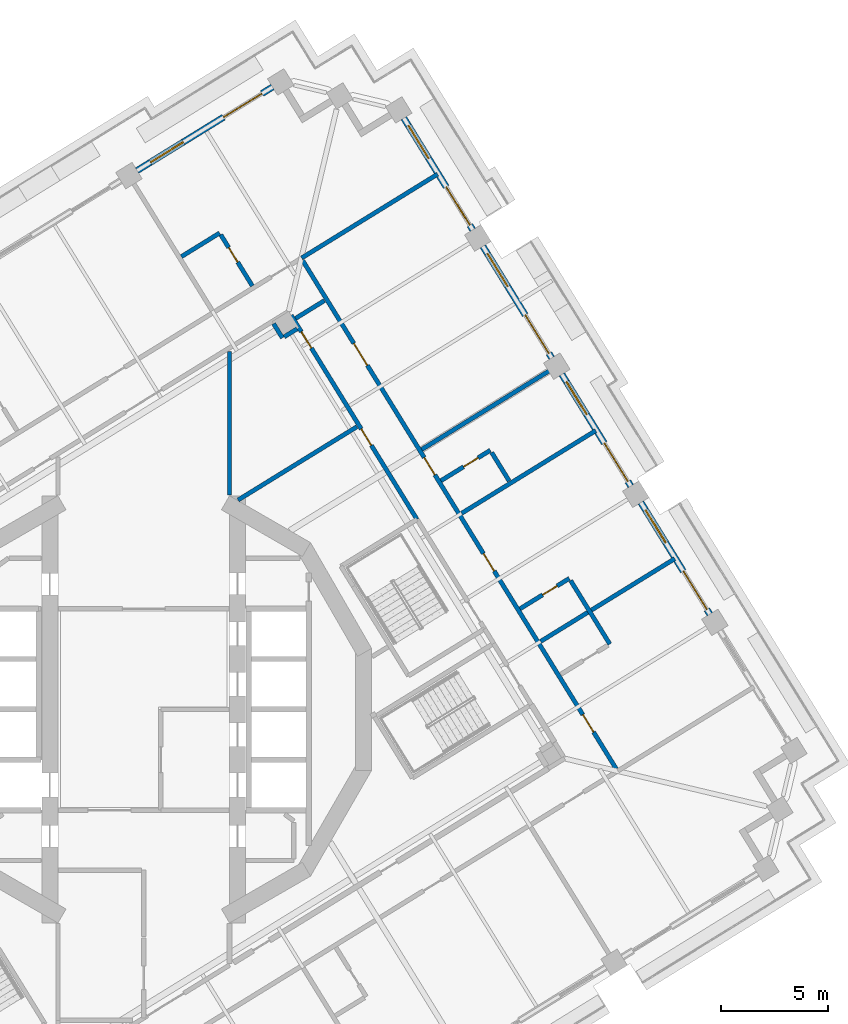
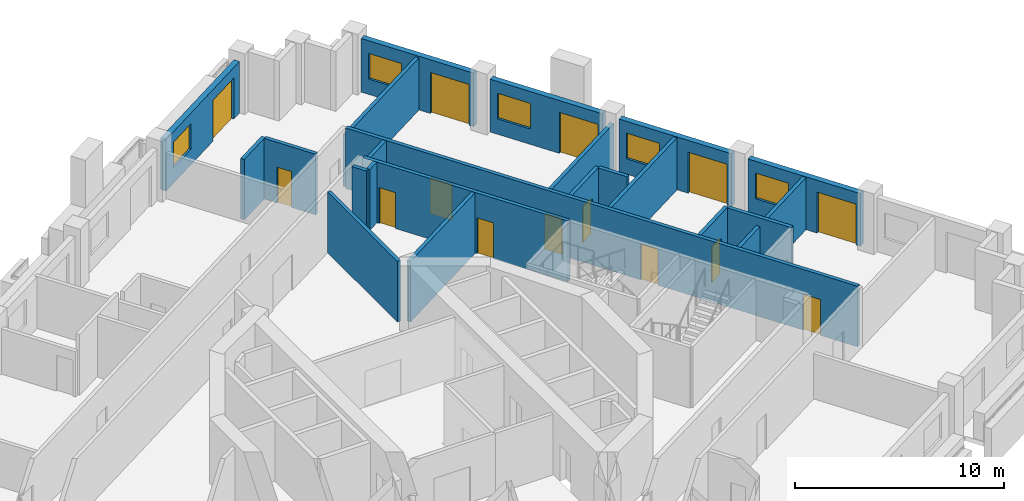
# One storey, part 9 of 20: 22 walls, 14 doors, 5 windows, 19 openings.
"""IFC4 building model written with IfcOpenShell, lengths in metres."""

from ifc_helpers import new_model, si_unit, direction, frame, frame_2d, origin, place, context, subcontext, project, spatial, rectangle, extrude, material, layer, layer_set, type_object, element, fill, save


model = new_model("IFC4")

# Units and contexts
model_context = context("Model", 3, precision=1e-05, world=origin(), true_north=direction((0.0, 1.0)))
body_context = subcontext(model_context, "Body", "Model", "MODEL_VIEW")
ifc_project = project(units=[si_unit("LENGTHUNIT", "METRE"), si_unit("AREAUNIT", "SQUARE_METRE"), si_unit("VOLUMEUNIT", "CUBIC_METRE"), si_unit("PLANEANGLEUNIT", "RADIAN"), si_unit("MASSUNIT", "GRAM", prefix="KILO")], contexts=[model_context])

# Site, building, storey
site_placement = place(None, origin())
site = spatial("IfcSite", under=ifc_project, at=site_placement, CompositionType="ELEMENT")
building_placement = place(site_placement, origin())
building = spatial("IfcBuilding", under=site, at=building_placement, Name="Cantera Rosa Tower", CompositionType="ELEMENT")
storey_placement = place(building_placement, frame((0.0, 0.0, 159.0)))
storey = spatial("IfcBuildingStorey", under=building, at=storey_placement, Name="L34", CompositionType="ELEMENT", Elevation=159.0)

# Walls
ifc_material_1 = material(Name="Gypsum board partition")
ifc_layer_1 = layer(ifc_material_1, 0.199951171875)
ifc_layer_set_1 = layer_set([ifc_layer_1], Name="CORRIDOR WALL 200 H3550")
wall_type_1 = type_object("IfcWallType", Name="CORRIDOR WALL 200 H3550", PredefinedType="PARTITIONING", material=ifc_layer_set_1)
wall_1_placement = place(storey_placement, frame((4.0, 9.994140625, 0.0), z_axis=(0.0, 0.0, 1.0), x_axis=(0.0, 1.0, 0.0)))
element("IfcWall", 1, at=wall_1_placement, inside=storey, type_object=wall_type_1, Name="CORRIDOR WALL L34-075", PredefinedType="PARTITIONING", context=body_context, shape_type="SweptSolid", body=[
    extrude(rectangle(XDim=6.7060546875, YDim=0.199951171875, at=frame_2d((3.35302734375, 0.0))), origin(), (0.0, 0.0, 1.0), 3.550048828125),
])
wall_2_placement = place(storey_placement, frame((7.08154296875, 18.234619140625, 0.0), z_axis=(0.0, 0.0, 1.0), x_axis=(0.8511858258, 0.524864449127, 0.0)))
element("IfcWall", 2, at=wall_2_placement, inside=storey, type_object=wall_type_1, Name="CORRIDOR WALL L34-088", PredefinedType="PARTITIONING", context=body_context, shape_type="SweptSolid", body=[
    extrude(rectangle(XDim=1.580078125, YDim=0.199951171875, at=frame_2d((0.7900390625, 0.0))), origin(), (0.0, 0.0, 1.0), 3.550048828125),
])

# Wall, openings, doors
wall_3_placement = place(storey_placement, frame((12.74560546875, 8.861328125, 0.0), z_axis=(0.0, 0.0, 1.0), x_axis=(-0.524978093765, 0.851115738937, 0.0)))
wall_3 = element("IfcWall", 3, at=wall_3_placement, inside=storey, type_object=wall_type_1, Name="CORRIDOR WALL L34-103", PredefinedType="PARTITIONING", context=body_context, shape_type="SweptSolid", body=[
    extrude(rectangle(XDim=11.17919921875, YDim=0.199951171875, at=frame_2d((5.589599609375, 0.0))), origin(), (0.0, 0.0, 1.0), 3.550048828125),
])
opening_1_placement = place(wall_3_placement, frame((4.055419921875, 0.0, 0.0)))
opening_1 = element("IfcOpeningElement", 4, at=opening_1_placement, cuts=wall_3, Name="Opening L34-005", PredefinedType="OPENING", context=body_context, shape_type="SweptSolid", body=[
    extrude(rectangle(XDim=0.89990234375, YDim=2.10009765625, at=frame_2d((0.449951171875, 1.050048828125))), frame((0.0, 0.10986328125, 0.0), z_axis=(0.0, -1.0, 0.0), x_axis=(1.0, 0.0, 0.0)), (0.0, 0.0, 1.0), 0.219970703125),
])
opening_2_placement = place(wall_3_placement, frame((9.38037109375, 0.0, 0.0)))
opening_2 = element("IfcOpeningElement", 5, at=opening_2_placement, cuts=wall_3, Name="Opening L34-006", PredefinedType="OPENING", context=body_context, shape_type="SweptSolid", body=[
    extrude(rectangle(XDim=0.89990234375, YDim=2.10009765625, at=frame_2d((0.449951171875, 1.050048828125))), frame((0.0, 0.10986328125, 0.0), z_axis=(0.0, -1.0, 0.0), x_axis=(1.0, 0.0, 0.0)), (0.0, 0.0, 1.0), 0.219970703125),
])
ifc_material_2 = material(Name="Timber door leaf", Category="wood")
door_type_1 = type_object("IfcDoorType", Name="SERVICE DOOR 900x2100", OperationType="NOTDEFINED", PredefinedType="DOOR", material=ifc_material_2)
door_1_placement = place(opening_1_placement, origin())
door_1 = element("IfcDoor", 6, at=door_1_placement, inside=storey, type_object=door_type_1, Name="DOOR L34-005", OperationType="NOTDEFINED", OverallHeight=2.10009765625, OverallWidth=0.89990234375, PredefinedType="DOOR", context=body_context, shape_type="SweptSolid", body=[
    extrude(rectangle(XDim=0.89990234375, YDim=2.10009765625, at=frame_2d((0.449951171875, 1.050048828125))), frame((0.0, 0.02490234375, 0.0), z_axis=(0.0, -1.0, 0.0), x_axis=(1.0, 0.0, 0.0)), (0.0, 0.0, 1.0), 0.050048828125),
])
fill(opening_1, door_1)
door_2_placement = place(opening_2_placement, origin())
door_2 = element("IfcDoor", 7, at=door_2_placement, inside=storey, type_object=door_type_1, Name="DOOR L34-006", OperationType="NOTDEFINED", OverallHeight=2.10009765625, OverallWidth=0.89990234375, PredefinedType="DOOR", context=body_context, shape_type="SweptSolid", body=[
    extrude(rectangle(XDim=0.89990234375, YDim=2.10009765625, at=frame_2d((0.449951171875, 1.050048828125))), frame((0.0, 0.02490234375, 0.0), z_axis=(0.0, -1.0, 0.0), x_axis=(1.0, 0.0, 0.0)), (0.0, 0.0, 1.0), 0.050048828125),
])
fill(opening_2, door_2)

wall_4_placement = place(storey_placement, frame((22.037109375, -2.77392578125, 0.0), z_axis=(0.0, 0.0, 1.0), x_axis=(-0.524972822247, 0.851118990448, 0.0)))
wall_4 = element("IfcWall", 8, at=wall_4_placement, inside=storey, type_object=wall_type_1, Name="CORRIDOR WALL L34-123", PredefinedType="PARTITIONING", context=body_context, shape_type="SweptSolid", body=[
    extrude(rectangle(XDim=27.85986328125, YDim=0.199951171875, at=frame_2d((13.929931640625, 0.0))), origin(), (0.0, 0.0, 1.0), 3.550048828125),
])
opening_3_placement = place(wall_4_placement, frame((2.02001953125, 0.0, 0.0)))
opening_3 = element("IfcOpeningElement", 9, at=opening_3_placement, cuts=wall_4, Name="Opening L34-021", PredefinedType="OPENING", context=body_context, shape_type="SweptSolid", body=[
    extrude(rectangle(XDim=0.949951171875, YDim=2.10009765625, at=frame_2d((0.47509765625, 1.050048828125))), frame((0.0, 0.10986328125, 0.0), z_axis=(0.0, -1.0, 0.0), x_axis=(1.0, 0.0, 0.0)), (0.0, 0.0, 1.0), 0.219970703125),
])
opening_4_placement = place(wall_4_placement, frame((10.844970703125, 0.0, 0.0)))
opening_4 = element("IfcOpeningElement", 10, at=opening_4_placement, cuts=wall_4, Name="Opening L34-023", PredefinedType="OPENING", context=body_context, shape_type="SweptSolid", body=[
    extrude(rectangle(XDim=0.949951171875, YDim=2.10009765625, at=frame_2d((0.47509765625, 1.050048828125))), frame((0.0, 0.10986328125, 0.0), z_axis=(0.0, -1.0, 0.0), x_axis=(1.0, 0.0, 0.0)), (0.0, 0.0, 1.0), 0.219970703125),
])
opening_5_placement = place(wall_4_placement, frame((22.110107421875, 0.0, 0.0)))
opening_5 = element("IfcOpeningElement", 11, at=opening_5_placement, cuts=wall_4, Name="Opening L34-025", PredefinedType="OPENING", context=body_context, shape_type="SweptSolid", body=[
    extrude(rectangle(XDim=1.199951171875, YDim=2.10009765625, at=frame_2d((0.60009765625, 1.050048828125))), frame((0.0, 0.10986328125, 0.0), z_axis=(0.0, -1.0, 0.0), x_axis=(1.0, 0.0, 0.0)), (0.0, 0.0, 1.0), 0.219970703125),
])
opening_6_placement = place(wall_4_placement, frame((16.110107421875, 0.0, 0.0)))
opening_6 = element("IfcOpeningElement", 12, at=opening_6_placement, cuts=wall_4, Name="Opening L34-026", PredefinedType="OPENING", context=body_context, shape_type="SweptSolid", body=[
    extrude(rectangle(XDim=0.949951171875, YDim=2.10009765625, at=frame_2d((0.47509765625, 1.050048828125))), frame((0.0, 0.10986328125, 0.0), z_axis=(0.0, -1.0, 0.0), x_axis=(1.0, 0.0, 0.0)), (0.0, 0.0, 1.0), 0.219970703125),
])
ifc_material_3 = material(Name="Timber door leaf", Category="wood")
door_type_2 = type_object("IfcDoorType", Name="ROOM DOOR 1200x2100", OperationType="NOTDEFINED", PredefinedType="DOOR", material=ifc_material_3)
door_3_placement = place(opening_5_placement, origin())
door_3 = element("IfcDoor", 13, at=door_3_placement, inside=storey, type_object=door_type_2, Name="DOOR L34-025", OperationType="NOTDEFINED", OverallHeight=2.10009765625, OverallWidth=1.199951171875, PredefinedType="DOOR", context=body_context, shape_type="SweptSolid", body=[
    extrude(rectangle(XDim=1.199951171875, YDim=2.10009765625, at=frame_2d((0.60009765625, 1.050048828125))), frame((0.0, 0.02490234375, 0.0), z_axis=(0.0, -1.0, 0.0), x_axis=(1.0, 0.0, 0.0)), (0.0, 0.0, 1.0), 0.050048828125),
])
fill(opening_5, door_3)
ifc_material_4 = material(Name="Timber door leaf", Category="wood")
door_type_3 = type_object("IfcDoorType", Name="ROOM DOOR 950x2100", OperationType="NOTDEFINED", PredefinedType="DOOR", material=ifc_material_4)
door_4_placement = place(opening_3_placement, origin())
door_4 = element("IfcDoor", 14, at=door_4_placement, inside=storey, type_object=door_type_3, Name="DOOR L34-021", OperationType="NOTDEFINED", OverallHeight=2.10009765625, OverallWidth=0.949951171875, PredefinedType="DOOR", context=body_context, shape_type="SweptSolid", body=[
    extrude(rectangle(XDim=0.949951171875, YDim=2.10009765625, at=frame_2d((0.47509765625, 1.050048828125))), frame((0.0, 0.02490234375, 0.0), z_axis=(0.0, -1.0, 0.0), x_axis=(1.0, 0.0, 0.0)), (0.0, 0.0, 1.0), 0.050048828125),
])
fill(opening_3, door_4)
door_5_placement = place(opening_4_placement, origin())
door_5 = element("IfcDoor", 15, at=door_5_placement, inside=storey, type_object=door_type_3, Name="DOOR L34-023", OperationType="NOTDEFINED", OverallHeight=2.10009765625, OverallWidth=0.949951171875, PredefinedType="DOOR", context=body_context, shape_type="SweptSolid", body=[
    extrude(rectangle(XDim=0.949951171875, YDim=2.10009765625, at=frame_2d((0.47509765625, 1.050048828125))), frame((0.0, 0.02490234375, 0.0), z_axis=(0.0, -1.0, 0.0), x_axis=(1.0, 0.0, 0.0)), (0.0, 0.0, 1.0), 0.050048828125),
])
fill(opening_4, door_5)
door_6_placement = place(opening_6_placement, origin())
door_6 = element("IfcDoor", 16, at=door_6_placement, inside=storey, type_object=door_type_3, Name="DOOR L34-026", OperationType="NOTDEFINED", OverallHeight=2.10009765625, OverallWidth=0.949951171875, PredefinedType="DOOR", context=body_context, shape_type="SweptSolid", body=[
    extrude(rectangle(XDim=0.949951171875, YDim=2.10009765625, at=frame_2d((0.47509765625, 1.050048828125))), frame((0.0, 0.02490234375, 0.0), z_axis=(0.0, -1.0, 0.0), x_axis=(1.0, 0.0, 0.0)), (0.0, 0.0, 1.0), 0.050048828125),
])
fill(opening_6, door_6)

# Wall, openings, window, door
ifc_material_5 = material(Name="Hollow clay masonry with cantera stone cladding", Category="masonry")
ifc_layer_2 = layer(ifc_material_5, 0.300048828125)
ifc_layer_set_2 = layer_set([ifc_layer_2], Name="EW-LOGGIA 300 H3020")
wall_type_2 = type_object("IfcWallType", Name="EW-LOGGIA 300 H3020", PredefinedType="SOLIDWALL", material=ifc_layer_set_2)
wall_5_placement = place(storey_placement, frame((6.007080078125, 29.02490234375, 0.0), z_axis=(0.0, 0.0, 1.0), x_axis=(-0.851111085575, -0.524985637909, 0.0)))
wall_5 = element("IfcWall", 17, at=wall_5_placement, inside=storey, type_object=wall_type_2, Name="EN-L34-W08", PredefinedType="SOLIDWALL", context=body_context, shape_type="SweptSolid", body=[
    extrude(rectangle(XDim=7.420166015625, YDim=0.300048828125, at=frame_2d((3.7099609375, 0.0))), origin(), (0.0, 0.0, 1.0), 3.02001953125),
])
opening_7_placement = place(wall_5_placement, frame((0.580078125, 0.0, 0.0)))
opening_7 = element("IfcOpeningElement", 18, at=opening_7_placement, cuts=wall_5, Name="Opening L34-TD11", PredefinedType="OPENING", context=body_context, shape_type="SweptSolid", body=[
    extrude(rectangle(XDim=2.10009765625, YDim=2.39990234375, at=frame_2d((1.050048828125, 1.199951171875))), frame((0.0, 0.159912109375, 0.0), z_axis=(0.0, -1.0, 0.0), x_axis=(1.0, 0.0, 0.0)), (0.0, 0.0, 1.0), 0.320068359375),
])
opening_8_placement = place(wall_5_placement, frame((4.889892578125, 0.0, 0.89990234375)))
opening_8 = element("IfcOpeningElement", 19, at=opening_8_placement, cuts=wall_5, Name="Opening L34-W12", PredefinedType="OPENING", context=body_context, shape_type="SweptSolid", body=[
    extrude(rectangle(XDim=1.800048828125, YDim=1.5, at=frame_2d((0.89990234375, 0.75))), frame((0.0, 0.159912109375, 0.0), z_axis=(0.0, -1.0, 0.0), x_axis=(1.0, 0.0, 0.0)), (0.0, 0.0, 1.0), 0.320068359375),
])
ifc_material_6 = material(Name="Aluminium frame with clear glass", Category="aluminium")
window_type = type_object("IfcWindowType", Name="Hotel room window 1800x1500", PartitioningType="DOUBLE_PANEL_VERTICAL", PredefinedType="WINDOW", material=ifc_material_6)
window_1_placement = place(opening_8_placement, origin())
window_1 = element("IfcWindow", 20, at=window_1_placement, inside=storey, type_object=window_type, Name="WINDOW L34-W12", OverallHeight=1.5, OverallWidth=1.800048828125, PartitioningType="SINGLE_PANEL", PredefinedType="WINDOW", context=body_context, shape_type="SweptSolid", body=[
    extrude(rectangle(XDim=1.800048828125, YDim=1.5, at=frame_2d((0.89990234375, 0.75))), frame((0.0, 0.030029296875, 0.0), z_axis=(0.0, -1.0, 0.0), x_axis=(1.0, 0.0, 0.0)), (0.0, 0.0, 1.0), 0.06005859375),
])
fill(opening_8, window_1)
ifc_material_7 = material(Name="Aluminium frame with clear glass", Category="aluminium")
door_type_4 = type_object("IfcDoorType", Name="TD-H 2100x2400", OperationType="NOTDEFINED", PredefinedType="DOOR", material=ifc_material_7)
door_7_placement = place(opening_7_placement, origin())
door_7 = element("IfcDoor", 21, at=door_7_placement, inside=storey, type_object=door_type_4, Name="LOGGIA DOOR L34-TD11", OperationType="SLIDING_TO_LEFT", OverallHeight=2.39990234375, OverallWidth=2.10009765625, PredefinedType="DOOR", context=body_context, shape_type="SweptSolid", body=[
    extrude(rectangle(XDim=2.10009765625, YDim=2.39990234375, at=frame_2d((1.050048828125, 1.199951171875))), frame((0.0, 0.02490234375, 0.0), z_axis=(0.0, -1.0, 0.0), x_axis=(1.0, 0.0, 0.0)), (0.0, 0.0, 1.0), 0.050048828125),
])
fill(opening_7, door_7)

ifc_material_8 = material(Name="Hollow clay masonry with cantera stone cladding", Category="masonry")
ifc_layer_3 = layer(ifc_material_8, 0.300048828125)
ifc_layer_set_3 = layer_set([ifc_layer_3], Name="EW-LOGGIA 300 H3090")
wall_type_3 = type_object("IfcWallType", Name="EW-LOGGIA 300 H3090", PredefinedType="SOLIDWALL", material=ifc_layer_set_3)
wall_6_placement = place(storey_placement, frame((26.3994140625, 4.440185546875, 0.0), z_axis=(0.0, 0.0, 1.0), x_axis=(-0.524987447654, 0.851109969279, 0.0)))
wall_6 = element("IfcWall", 22, at=wall_6_placement, inside=storey, type_object=wall_type_3, Name="EN-L34-W02", PredefinedType="SOLIDWALL", context=body_context, shape_type="SweptSolid", body=[
    extrude(rectangle(XDim=6.119873046875, YDim=0.300048828125, at=frame_2d((3.06005859375, 0.0))), origin(), (0.0, 0.0, 1.0), 3.090087890625),
])
opening_9_placement = place(wall_6_placement, frame((0.2548828125, 0.0, 0.0)))
opening_9 = element("IfcOpeningElement", 23, at=opening_9_placement, cuts=wall_6, Name="Opening L34-TD03", PredefinedType="OPENING", context=body_context, shape_type="SweptSolid", body=[
    extrude(rectangle(XDim=2.10009765625, YDim=2.39990234375, at=frame_2d((1.050048828125, 1.199951171875))), frame((0.0, 0.159912109375, 0.0), z_axis=(0.0, -1.0, 0.0), x_axis=(1.0, 0.0, 0.0)), (0.0, 0.0, 1.0), 0.320068359375),
])
opening_10_placement = place(wall_6_placement, frame((3.9150390625, 0.0, 0.89990234375)))
opening_10 = element("IfcOpeningElement", 24, at=opening_10_placement, cuts=wall_6, Name="Opening L34-W04", PredefinedType="OPENING", context=body_context, shape_type="SweptSolid", body=[
    extrude(rectangle(XDim=1.800048828125, YDim=1.5, at=frame_2d((0.89990234375, 0.75))), frame((0.0, 0.159912109375, 0.0), z_axis=(0.0, -1.0, 0.0), x_axis=(1.0, 0.0, 0.0)), (0.0, 0.0, 1.0), 0.320068359375),
])
window_2_placement = place(opening_10_placement, origin())
window_2 = element("IfcWindow", 25, at=window_2_placement, inside=storey, type_object=window_type, Name="WINDOW L34-W04", OverallHeight=1.5, OverallWidth=1.800048828125, PartitioningType="SINGLE_PANEL", PredefinedType="WINDOW", context=body_context, shape_type="SweptSolid", body=[
    extrude(rectangle(XDim=1.800048828125, YDim=1.5, at=frame_2d((0.89990234375, 0.75))), frame((0.0, 0.030029296875, 0.0), z_axis=(0.0, -1.0, 0.0), x_axis=(1.0, 0.0, 0.0)), (0.0, 0.0, 1.0), 0.06005859375),
])
fill(opening_10, window_2)
door_8_placement = place(opening_9_placement, origin())
door_8 = element("IfcDoor", 26, at=door_8_placement, inside=storey, type_object=door_type_4, Name="LOGGIA DOOR L34-TD03", OperationType="SLIDING_TO_LEFT", OverallHeight=2.39990234375, OverallWidth=2.10009765625, PredefinedType="DOOR", context=body_context, shape_type="SweptSolid", body=[
    extrude(rectangle(XDim=2.10009765625, YDim=2.39990234375, at=frame_2d((1.050048828125, 1.199951171875))), frame((0.0, 0.02490234375, 0.0), z_axis=(0.0, -1.0, 0.0), x_axis=(1.0, 0.0, 0.0)), (0.0, 0.0, 1.0), 0.050048828125),
])
fill(opening_9, door_8)

wall_7_placement = place(storey_placement, frame((22.714111328125, 10.4150390625, 0.0), z_axis=(0.0, 0.0, 1.0), x_axis=(-0.524987447654, 0.851109969279, 0.0)))
wall_7 = element("IfcWall", 27, at=wall_7_placement, inside=storey, type_object=wall_type_3, Name="EN-L34-W03", PredefinedType="SOLIDWALL", context=body_context, shape_type="SweptSolid", body=[
    extrude(rectangle(XDim=6.119873046875, YDim=0.300048828125, at=frame_2d((3.06005859375, 0.0))), origin(), (0.0, 0.0, 1.0), 3.090087890625),
])
opening_11_placement = place(wall_7_placement, frame((0.2548828125, 0.0, 0.0)))
opening_11 = element("IfcOpeningElement", 28, at=opening_11_placement, cuts=wall_7, Name="Opening L34-TD05", PredefinedType="OPENING", context=body_context, shape_type="SweptSolid", body=[
    extrude(rectangle(XDim=2.10009765625, YDim=2.39990234375, at=frame_2d((1.050048828125, 1.199951171875))), frame((0.0, 0.159912109375, 0.0), z_axis=(0.0, -1.0, 0.0), x_axis=(1.0, 0.0, 0.0)), (0.0, 0.0, 1.0), 0.320068359375),
])
opening_12_placement = place(wall_7_placement, frame((3.9150390625, 0.0, 0.89990234375)))
opening_12 = element("IfcOpeningElement", 29, at=opening_12_placement, cuts=wall_7, Name="Opening L34-W06", PredefinedType="OPENING", context=body_context, shape_type="SweptSolid", body=[
    extrude(rectangle(XDim=1.800048828125, YDim=1.5, at=frame_2d((0.89990234375, 0.75))), frame((0.0, 0.159912109375, 0.0), z_axis=(0.0, -1.0, 0.0), x_axis=(1.0, 0.0, 0.0)), (0.0, 0.0, 1.0), 0.320068359375),
])
window_3_placement = place(opening_12_placement, origin())
window_3 = element("IfcWindow", 30, at=window_3_placement, inside=storey, type_object=window_type, Name="WINDOW L34-W06", OverallHeight=1.5, OverallWidth=1.800048828125, PartitioningType="SINGLE_PANEL", PredefinedType="WINDOW", context=body_context, shape_type="SweptSolid", body=[
    extrude(rectangle(XDim=1.800048828125, YDim=1.5, at=frame_2d((0.89990234375, 0.75))), frame((0.0, 0.030029296875, 0.0), z_axis=(0.0, -1.0, 0.0), x_axis=(1.0, 0.0, 0.0)), (0.0, 0.0, 1.0), 0.06005859375),
])
fill(opening_12, window_3)
door_9_placement = place(opening_11_placement, origin())
door_9 = element("IfcDoor", 31, at=door_9_placement, inside=storey, type_object=door_type_4, Name="LOGGIA DOOR L34-TD05", OperationType="SLIDING_TO_LEFT", OverallHeight=2.39990234375, OverallWidth=2.10009765625, PredefinedType="DOOR", context=body_context, shape_type="SweptSolid", body=[
    extrude(rectangle(XDim=2.10009765625, YDim=2.39990234375, at=frame_2d((1.050048828125, 1.199951171875))), frame((0.0, 0.02490234375, 0.0), z_axis=(0.0, -1.0, 0.0), x_axis=(1.0, 0.0, 0.0)), (0.0, 0.0, 1.0), 0.050048828125),
])
fill(opening_11, door_9)

wall_8_placement = place(storey_placement, frame((19.02880859375, 16.389892578125, 0.0), z_axis=(0.0, 0.0, 1.0), x_axis=(-0.524987447654, 0.851109969279, 0.0)))
wall_8 = element("IfcWall", 32, at=wall_8_placement, inside=storey, type_object=wall_type_3, Name="EN-L34-W04", PredefinedType="SOLIDWALL", context=body_context, shape_type="SweptSolid", body=[
    extrude(rectangle(XDim=6.119873046875, YDim=0.300048828125, at=frame_2d((3.06005859375, 0.0))), origin(), (0.0, 0.0, 1.0), 3.090087890625),
])
opening_13_placement = place(wall_8_placement, frame((0.2548828125, 0.0, 0.0)))
opening_13 = element("IfcOpeningElement", 33, at=opening_13_placement, cuts=wall_8, Name="Opening L34-TD07", PredefinedType="OPENING", context=body_context, shape_type="SweptSolid", body=[
    extrude(rectangle(XDim=2.10009765625, YDim=2.39990234375, at=frame_2d((1.050048828125, 1.199951171875))), frame((0.0, 0.159912109375, 0.0), z_axis=(0.0, -1.0, 0.0), x_axis=(1.0, 0.0, 0.0)), (0.0, 0.0, 1.0), 0.320068359375),
])
opening_14_placement = place(wall_8_placement, frame((3.9150390625, 0.0, 0.89990234375)))
opening_14 = element("IfcOpeningElement", 34, at=opening_14_placement, cuts=wall_8, Name="Opening L34-W08", PredefinedType="OPENING", context=body_context, shape_type="SweptSolid", body=[
    extrude(rectangle(XDim=1.800048828125, YDim=1.5, at=frame_2d((0.89990234375, 0.75))), frame((0.0, 0.159912109375, 0.0), z_axis=(0.0, -1.0, 0.0), x_axis=(1.0, 0.0, 0.0)), (0.0, 0.0, 1.0), 0.320068359375),
])
window_4_placement = place(opening_14_placement, origin())
window_4 = element("IfcWindow", 35, at=window_4_placement, inside=storey, type_object=window_type, Name="WINDOW L34-W08", OverallHeight=1.5, OverallWidth=1.800048828125, PartitioningType="SINGLE_PANEL", PredefinedType="WINDOW", context=body_context, shape_type="SweptSolid", body=[
    extrude(rectangle(XDim=1.800048828125, YDim=1.5, at=frame_2d((0.89990234375, 0.75))), frame((0.0, 0.030029296875, 0.0), z_axis=(0.0, -1.0, 0.0), x_axis=(1.0, 0.0, 0.0)), (0.0, 0.0, 1.0), 0.06005859375),
])
fill(opening_14, window_4)
door_10_placement = place(opening_13_placement, origin())
door_10 = element("IfcDoor", 36, at=door_10_placement, inside=storey, type_object=door_type_4, Name="LOGGIA DOOR L34-TD07", OperationType="SLIDING_TO_LEFT", OverallHeight=2.39990234375, OverallWidth=2.10009765625, PredefinedType="DOOR", context=body_context, shape_type="SweptSolid", body=[
    extrude(rectangle(XDim=2.10009765625, YDim=2.39990234375, at=frame_2d((1.050048828125, 1.199951171875))), frame((0.0, 0.02490234375, 0.0), z_axis=(0.0, -1.0, 0.0), x_axis=(1.0, 0.0, 0.0)), (0.0, 0.0, 1.0), 0.050048828125),
])
fill(opening_13, door_10)

ifc_material_9 = material(Name="Hollow clay masonry with cantera stone cladding", Category="masonry")
ifc_layer_4 = layer(ifc_material_9, 0.300048828125)
ifc_layer_set_4 = layer_set([ifc_layer_4], Name="EW-LOGGIA 300 H3140")
wall_type_4 = type_object("IfcWallType", Name="EW-LOGGIA 300 H3140", PredefinedType="SOLIDWALL", material=ifc_layer_set_4)
wall_9_placement = place(storey_placement, frame((15.343505859375, 22.36474609375, 0.0), z_axis=(0.0, 0.0, 1.0), x_axis=(-0.524987447654, 0.851109969279, 0.0)))
wall_9 = element("IfcWall", 37, at=wall_9_placement, inside=storey, type_object=wall_type_4, Name="EN-L34-W05", PredefinedType="SOLIDWALL", context=body_context, shape_type="SweptSolid", body=[
    extrude(rectangle(XDim=6.119873046875, YDim=0.300048828125, at=frame_2d((3.06005859375, 0.0))), origin(), (0.0, 0.0, 1.0), 3.139892578125),
])
opening_15_placement = place(wall_9_placement, frame((0.2548828125, 0.0, 0.0)))
opening_15 = element("IfcOpeningElement", 38, at=opening_15_placement, cuts=wall_9, Name="Opening L34-TD09", PredefinedType="OPENING", context=body_context, shape_type="SweptSolid", body=[
    extrude(rectangle(XDim=2.10009765625, YDim=2.39990234375, at=frame_2d((1.050048828125, 1.199951171875))), frame((0.0, 0.159912109375, 0.0), z_axis=(0.0, -1.0, 0.0), x_axis=(1.0, 0.0, 0.0)), (0.0, 0.0, 1.0), 0.320068359375),
])
opening_16_placement = place(wall_9_placement, frame((3.9150390625, 0.0, 0.89990234375)))
opening_16 = element("IfcOpeningElement", 39, at=opening_16_placement, cuts=wall_9, Name="Opening L34-W10", PredefinedType="OPENING", context=body_context, shape_type="SweptSolid", body=[
    extrude(rectangle(XDim=1.800048828125, YDim=1.5, at=frame_2d((0.89990234375, 0.75))), frame((0.0, 0.159912109375, 0.0), z_axis=(0.0, -1.0, 0.0), x_axis=(1.0, 0.0, 0.0)), (0.0, 0.0, 1.0), 0.320068359375),
])
window_5_placement = place(opening_16_placement, origin())
window_5 = element("IfcWindow", 40, at=window_5_placement, inside=storey, type_object=window_type, Name="WINDOW L34-W10", OverallHeight=1.5, OverallWidth=1.800048828125, PartitioningType="SINGLE_PANEL", PredefinedType="WINDOW", context=body_context, shape_type="SweptSolid", body=[
    extrude(rectangle(XDim=1.800048828125, YDim=1.5, at=frame_2d((0.89990234375, 0.75))), frame((0.0, 0.030029296875, 0.0), z_axis=(0.0, -1.0, 0.0), x_axis=(1.0, 0.0, 0.0)), (0.0, 0.0, 1.0), 0.06005859375),
])
fill(opening_16, window_5)
door_11_placement = place(opening_15_placement, origin())
door_11 = element("IfcDoor", 41, at=door_11_placement, inside=storey, type_object=door_type_4, Name="LOGGIA DOOR L34-TD09", OperationType="SLIDING_TO_LEFT", OverallHeight=2.39990234375, OverallWidth=2.10009765625, PredefinedType="DOOR", context=body_context, shape_type="SweptSolid", body=[
    extrude(rectangle(XDim=2.10009765625, YDim=2.39990234375, at=frame_2d((1.050048828125, 1.199951171875))), frame((0.0, 0.02490234375, 0.0), z_axis=(0.0, -1.0, 0.0), x_axis=(1.0, 0.0, 0.0)), (0.0, 0.0, 1.0), 0.050048828125),
])
fill(opening_15, door_11)

# Wall
ifc_material_10 = material(Name="Gypsum board partition")
ifc_layer_5 = layer(ifc_material_10, 0.199951171875)
ifc_layer_set_5 = layer_set([ifc_layer_5], Name="PARTITION 200 H3550")
wall_type_5 = type_object("IfcWallType", Name="PARTITION 200 H3550", PredefinedType="PARTITIONING", material=ifc_layer_set_5)
wall_10_placement = place(storey_placement, frame((1.756103515625, 21.11572265625, 0.0), z_axis=(0.0, 0.0, 1.0), x_axis=(0.851099012787, 0.52500520991, 0.0)))
element("IfcWall", 42, at=wall_10_placement, inside=storey, type_object=wall_type_5, Name="PARTITION L34-070", PredefinedType="PARTITIONING", context=body_context, shape_type="SweptSolid", body=[
    extrude(rectangle(XDim=2.10009765625, YDim=0.199951171875, at=frame_2d((1.050048828125, 0.0))), origin(), (0.0, 0.0, 1.0), 3.550048828125),
])

# Wall, opening, door
wall_11_placement = place(storey_placement, frame((3.595947265625, 22.133056640625, 0.0), z_axis=(0.0, 0.0, 1.0), x_axis=(0.524997143301, -0.851103988667, 0.0)))
wall_11 = element("IfcWall", 43, at=wall_11_placement, inside=storey, type_object=wall_type_5, Name="PARTITION L34-071", PredefinedType="PARTITIONING", context=body_context, shape_type="SweptSolid", body=[
    extrude(rectangle(XDim=2.800048828125, YDim=0.199951171875, at=frame_2d((1.39990234375, 0.0))), origin(), (0.0, 0.0, 1.0), 3.550048828125),
])
opening_17_placement = place(wall_11_placement, frame((0.699951171875, 0.0, 0.0)))
opening_17 = element("IfcOpeningElement", 44, at=opening_17_placement, cuts=wall_11, Name="Opening L34-034", PredefinedType="OPENING", context=body_context, shape_type="SweptSolid", body=[
    extrude(rectangle(XDim=0.800048828125, YDim=2.10009765625, at=frame_2d((0.39990234375, 1.050048828125))), frame((0.0, 0.10986328125, 0.0), z_axis=(0.0, -1.0, 0.0), x_axis=(1.0, 0.0, 0.0)), (0.0, 0.0, 1.0), 0.219970703125),
])
ifc_material_11 = material(Name="Timber door leaf", Category="wood")
door_type_5 = type_object("IfcDoorType", Name="BATHROOM DOOR 800x2100", OperationType="NOTDEFINED", PredefinedType="DOOR", material=ifc_material_11)
door_12_placement = place(opening_17_placement, origin())
door_12 = element("IfcDoor", 45, at=door_12_placement, inside=storey, type_object=door_type_5, Name="DOOR L34-034", OperationType="NOTDEFINED", OverallHeight=2.10009765625, OverallWidth=0.800048828125, PredefinedType="DOOR", context=body_context, shape_type="SweptSolid", body=[
    extrude(rectangle(XDim=0.800048828125, YDim=2.10009765625, at=frame_2d((0.39990234375, 1.050048828125))), frame((0.0, 0.02490234375, 0.0), z_axis=(0.0, -1.0, 0.0), x_axis=(1.0, 0.0, 0.0)), (0.0, 0.0, 1.0), 0.050048828125),
])
fill(opening_17, door_12)

# Walls
wall_12_placement = place(storey_placement, frame((4.399658203125, 9.763427734375, 0.0), z_axis=(0.0, 0.0, 1.0), x_axis=(0.85111445417, 0.524980176676, 0.0)))
element("IfcWall", 46, at=wall_12_placement, inside=storey, type_object=wall_type_5, Name="PARTITION L34-076", PredefinedType="PARTITIONING", context=body_context, shape_type="SweptSolid", body=[
    extrude(rectangle(XDim=6.509765625, YDim=0.199951171875, at=frame_2d((3.2548828125, 0.0))), origin(), (0.0, 0.0, 1.0), 3.550048828125),
])
wall_13_placement = place(storey_placement, frame((6.058349609375, 17.98876953125, 0.0), z_axis=(0.0, 0.0, 1.0), x_axis=(0.524813124932, -0.851217471566, 0.0)))
element("IfcWall", 47, at=wall_13_placement, inside=storey, type_object=wall_type_5, Name="PARTITION L34-082", PredefinedType="PARTITIONING", context=body_context, shape_type="SweptSolid", body=[
    extrude(rectangle(XDim=0.780029296875, YDim=0.199951171875, at=frame_2d((0.39013671875, 0.0))), origin(), (0.0, 0.0, 1.0), 3.550048828125),
])
wall_14_placement = place(storey_placement, frame((6.552978515625, 17.377197265625, 0.0), z_axis=(0.0, 0.0, 1.0), x_axis=(0.850963051828, 0.52522555576, 0.0)))
element("IfcWall", 48, at=wall_14_placement, inside=storey, type_object=wall_type_5, Name="PARTITION L34-084", PredefinedType="PARTITIONING", context=body_context, shape_type="SweptSolid", body=[
    extrude(rectangle(XDim=0.699951171875, YDim=0.199951171875, at=frame_2d((0.35009765625, 0.0))), origin(), (0.0, 0.0, 1.0), 3.550048828125),
])

# Wall, opening, door
wall_15_placement = place(storey_placement, frame((13.864501953125, 10.66650390625, 0.0), z_axis=(0.0, 0.0, 1.0), x_axis=(0.85111767641, 0.524974952644, 0.0)))
wall_15 = element("IfcWall", 49, at=wall_15_placement, inside=storey, type_object=wall_type_5, Name="PARTITION L34-106", PredefinedType="PARTITIONING", context=body_context, shape_type="SweptSolid", body=[
    extrude(rectangle(XDim=2.7001953125, YDim=0.199951171875, at=frame_2d((1.35009765625, 0.0))), origin(), (0.0, 0.0, 1.0), 3.550048828125),
])
opening_18_placement = place(wall_15_placement, frame((1.236083984375, 0.0, 0.0)))
opening_18 = element("IfcOpeningElement", 50, at=opening_18_placement, cuts=wall_15, Name="Opening L34-027", PredefinedType="OPENING", context=body_context, shape_type="SweptSolid", body=[
    extrude(rectangle(XDim=0.800048828125, YDim=2.10009765625, at=frame_2d((0.39990234375, 1.050048828125))), frame((0.0, 0.10986328125, 0.0), z_axis=(0.0, -1.0, 0.0), x_axis=(1.0, 0.0, 0.0)), (0.0, 0.0, 1.0), 0.219970703125),
])
door_13_placement = place(opening_18_placement, origin())
door_13 = element("IfcDoor", 51, at=door_13_placement, inside=storey, type_object=door_type_5, Name="DOOR L34-027", OperationType="NOTDEFINED", OverallHeight=2.10009765625, OverallWidth=0.800048828125, PredefinedType="DOOR", context=body_context, shape_type="SweptSolid", body=[
    extrude(rectangle(XDim=0.800048828125, YDim=2.10009765625, at=frame_2d((0.39990234375, 1.050048828125))), frame((0.0, 0.02490234375, 0.0), z_axis=(0.0, -1.0, 0.0), x_axis=(1.0, 0.0, 0.0)), (0.0, 0.0, 1.0), 0.050048828125),
])
fill(opening_18, door_13)

# Wall
wall_16_placement = place(storey_placement, frame((16.2255859375, 11.98193359375, 0.0), z_axis=(0.0, 0.0, 1.0), x_axis=(0.524952958213, -0.851131242326, 0.0)))
element("IfcWall", 52, at=wall_16_placement, inside=storey, type_object=wall_type_5, Name="PARTITION L34-110", PredefinedType="PARTITIONING", context=body_context, shape_type="SweptSolid", body=[
    extrude(rectangle(XDim=1.559814453125, YDim=0.199951171875, at=frame_2d((0.77978515625, 0.0))), origin(), (0.0, 0.0, 1.0), 3.550048828125),
])

# Wall, opening, door
wall_17_placement = place(storey_placement, frame((17.5498046875, 4.69189453125, 0.0), z_axis=(0.0, 0.0, 1.0), x_axis=(0.851158076586, 0.524909448059, 0.0)))
wall_17 = element("IfcWall", 53, at=wall_17_placement, inside=storey, type_object=wall_type_5, Name="PARTITION L34-112", PredefinedType="PARTITIONING", context=body_context, shape_type="SweptSolid", body=[
    extrude(rectangle(XDim=2.699951171875, YDim=0.199951171875, at=frame_2d((1.35009765625, 0.0))), origin(), (0.0, 0.0, 1.0), 3.550048828125),
])
opening_19_placement = place(wall_17_placement, frame((1.236083984375, 0.0, 0.0)))
opening_19 = element("IfcOpeningElement", 54, at=opening_19_placement, cuts=wall_17, Name="Opening L34-024", PredefinedType="OPENING", context=body_context, shape_type="SweptSolid", body=[
    extrude(rectangle(XDim=0.800048828125, YDim=2.10009765625, at=frame_2d((0.39990234375, 1.050048828125))), frame((0.0, 0.10986328125, 0.0), z_axis=(0.0, -1.0, 0.0), x_axis=(1.0, 0.0, 0.0)), (0.0, 0.0, 1.0), 0.219970703125),
])
door_14_placement = place(opening_19_placement, origin())
door_14 = element("IfcDoor", 55, at=door_14_placement, inside=storey, type_object=door_type_5, Name="DOOR L34-024", OperationType="NOTDEFINED", OverallHeight=2.10009765625, OverallWidth=0.800048828125, PredefinedType="DOOR", context=body_context, shape_type="SweptSolid", body=[
    extrude(rectangle(XDim=0.800048828125, YDim=2.10009765625, at=frame_2d((0.39990234375, 1.050048828125))), frame((0.0, 0.02490234375, 0.0), z_axis=(0.0, -1.0, 0.0), x_axis=(1.0, 0.0, 0.0)), (0.0, 0.0, 1.0), 0.050048828125),
])
fill(opening_19, door_14)

# Walls
wall_18_placement = place(storey_placement, frame((19.910888671875, 6.007080078125, 0.0), z_axis=(0.0, 0.0, 1.0), x_axis=(0.524970023386, -0.851120716788, 0.0)))
element("IfcWall", 56, at=wall_18_placement, inside=storey, type_object=wall_type_5, Name="PARTITION L34-121", PredefinedType="PARTITIONING", context=body_context, shape_type="SweptSolid", body=[
    extrude(rectangle(XDim=3.47998046875, YDim=0.199951171875, at=frame_2d((1.739990234375, 0.0))), origin(), (0.0, 0.0, 1.0), 3.550048828125),
])
ifc_material_12 = material(Name="Gypsum board partition")
ifc_layer_6 = layer(ifc_material_12, 0.199951171875)
ifc_layer_set_6 = layer_set([ifc_layer_6], Name="PARTY WALL 200 H2650")
wall_type_6 = type_object("IfcWallType", Name="PARTY WALL 200 H2650", PredefinedType="PARTITIONING", material=ifc_layer_set_6)
wall_19_placement = place(storey_placement, frame((12.966796875, 12.1220703125, 0.0), z_axis=(0.0, 0.0, 1.0), x_axis=(0.851111911821, 0.52498429839, 0.0)))
element("IfcWall", 57, at=wall_19_placement, inside=storey, type_object=wall_type_6, Name="PARTY WALL L34-105", PredefinedType="PARTITIONING", context=body_context, shape_type="SweptSolid", body=[
    extrude(rectangle(XDim=7.3701171875, YDim=0.199951171875, at=frame_2d((3.68505859375, 0.0))), origin(), (0.0, 0.0, 1.0), 2.64990234375),
])
ifc_material_13 = material(Name="Gypsum board partition")
ifc_layer_7 = layer(ifc_material_13, 0.199951171875)
ifc_layer_set_7 = layer_set([ifc_layer_7], Name="PARTY WALL 200 H3050")
wall_type_7 = type_object("IfcWallType", Name="PARTY WALL 200 H3050", PredefinedType="PARTITIONING", material=ifc_layer_set_7)
wall_20_placement = place(storey_placement, frame((7.365478515625, 21.05078125, 0.0), z_axis=(0.0, 0.0, 1.0), x_axis=(0.851113277303, 0.524982084645, 0.0)))
element("IfcWall", 58, at=wall_20_placement, inside=storey, type_object=wall_type_7, Name="PARTY WALL L34-090", PredefinedType="PARTITIONING", context=body_context, shape_type="SweptSolid", body=[
    extrude(rectangle(XDim=7.449951171875, YDim=0.199951171875, at=frame_2d((3.72509765625, 0.0))), origin(), (0.0, 0.0, 1.0), 3.050048828125),
])
for number, where, z_axis, x_axis, name in (
    (59, (14.826416015625, 9.14501953125, 0.0), (0.0, 0.0, 1.0), (0.851118431638, 0.524973728225, 0.0), "PARTY WALL L34-107"),
    (60, (18.51171875, 3.17041015625, 0.0), (0.0, 0.0, 1.0), (0.851133272812, 0.524949666075, 0.0), "PARTY WALL L34-116"),
):
    element("IfcWall", number, at=place(storey_placement, frame(where, z_axis=z_axis, x_axis=x_axis)), inside=storey, type_object=wall_type_7, Name=name, PredefinedType="PARTITIONING", context=body_context, shape_type="SweptSolid", body=[
        extrude(rectangle(XDim=7.35009765625, YDim=0.199951171875, at=frame_2d((3.675048828125, 0.0))), origin(), (0.0, 0.0, 1.0), 3.050048828125),
    ])

save(model, "model.ifc")
